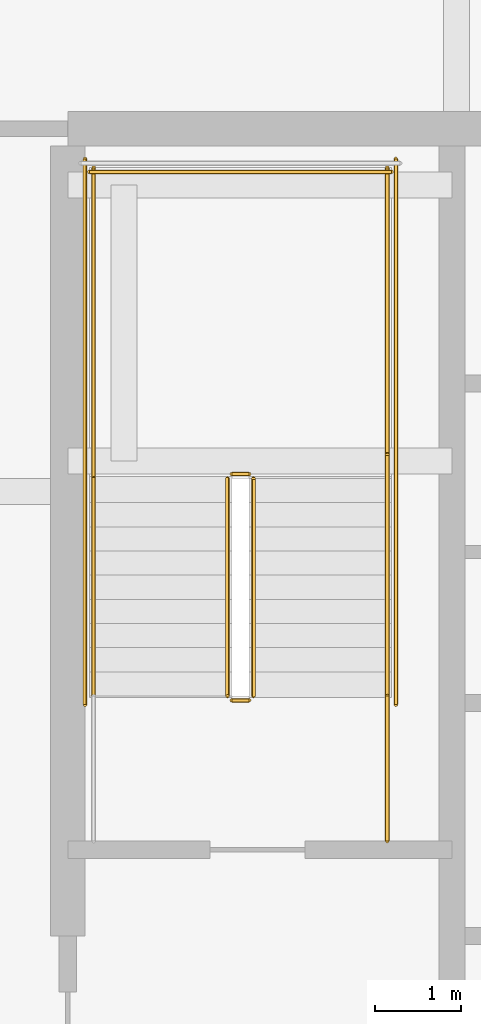
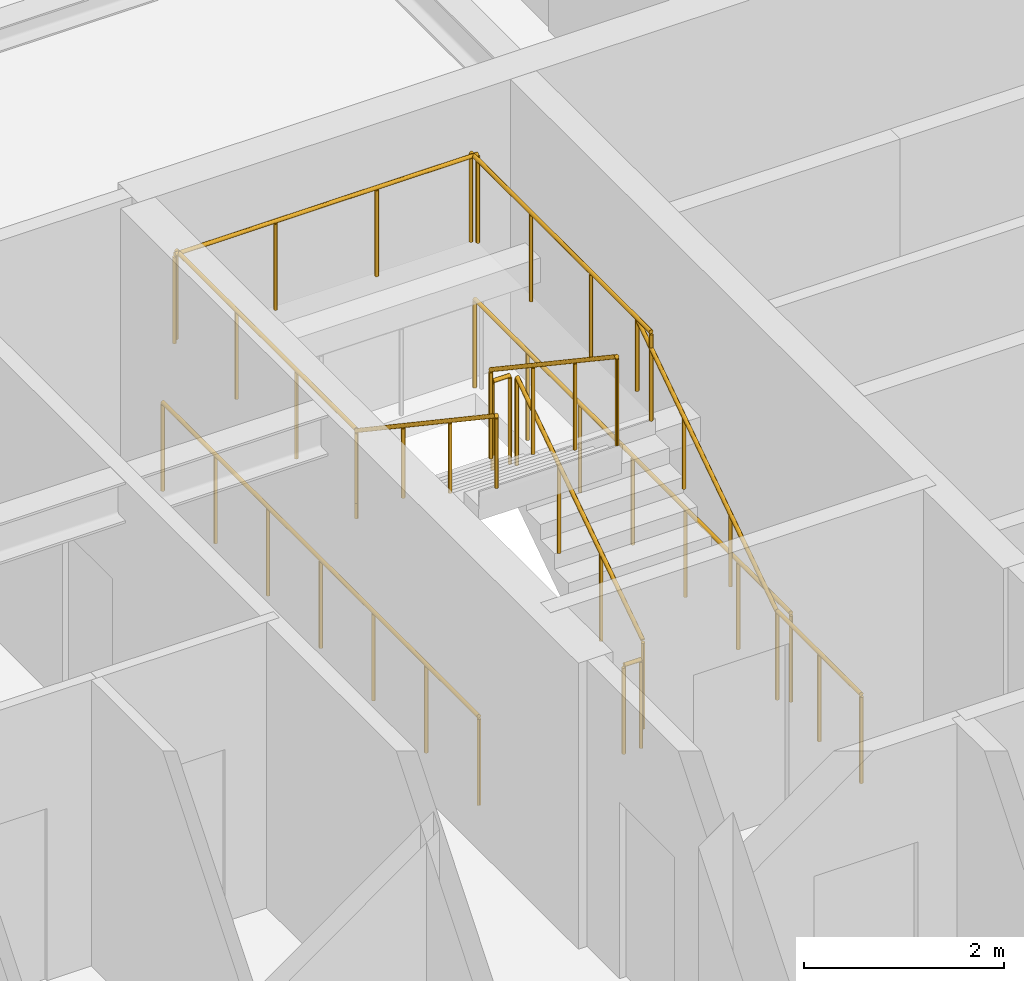
# One storey, part 31 of 34: 12 railings.
"""IFC4 building model written with IfcOpenShell, lengths in metres."""

import ifcopenshell
import ifcopenshell.guid

model = None  # the IFC model being written
_history = None  # IfcOwnerHistory: only IFC2X3 demands one
_inside = {}  # id of a spatial element -> (the spatial element, [elements in it])
_under = {}  # id of a project, library or spatial element -> (it, [spatial elements below it])
_declared = {}  # id of a project -> (the project, [libraries it declares])
_typed = {}  # id of a type object -> (the type object, [elements of that type])
_made_of = {}  # id of a material, layer set ... -> (it, [elements and type objects made of it])


def new_model(schema):
    """Start an empty IFC model of exactly this schema.

    Asked for "IFC4X3", IfcOpenShell would pick the latest addendum, in which some entities
    have other attributes; the version numbers below select the first issue.
    IFC2X3 requires an IfcOwnerHistory on every rooted entity: one is made here for all.
    """
    global model, _history
    if schema == "IFC4X3":
        model = ifcopenshell.file(schema_version=(4, 3, 0, 0))
    else:
        model = ifcopenshell.file(schema=schema)
    _inside.clear()
    _under.clear()
    _declared.clear()
    _typed.clear()
    _made_of.clear()
    _history = None
    if model.schema == "IFC2X3":
        org = make("IfcOrganization", Name="unknown")
        user = make(
            "IfcPersonAndOrganization",
            ThePerson=make("IfcPerson", FamilyName="unknown"),
            TheOrganization=org,
        )
        app = make(
            "IfcApplication",
            ApplicationDeveloper=org,
            Version="unknown",
            ApplicationFullName="unknown",
            ApplicationIdentifier="unknown",
        )
        _history = make(
            "IfcOwnerHistory",
            OwningUser=user,
            OwningApplication=app,
            ChangeAction="ADDED",
            CreationDate=0,
        )
    return model


def make(cls, **values):
    """One entity of the class cls with the attributes given. An attribute that is None is left unset."""
    return model.create_entity(
        cls, **{name: value for name, value in values.items() if value is not None}
    )


def rooted(cls, **values):
    """An entity with a GlobalId (a new one), such as an element, a storey or a relation."""
    return make(cls, GlobalId=ifcopenshell.guid.new(), OwnerHistory=_history, **values)


def si_unit(unit_type, name, prefix=None):
    """IfcSIUnit, for example si_unit("LENGTHUNIT", "METRE", prefix="MILLI")."""
    return make("IfcSIUnit", UnitType=unit_type, Prefix=prefix, Name=name)


def assignment(units):
    """IfcUnitAssignment: the units of a project."""
    return None if units is None else make("IfcUnitAssignment", Units=units)


def point(xyz):
    """IfcCartesianPoint."""
    return None if xyz is None else make("IfcCartesianPoint", Coordinates=xyz)


def direction(xyz):
    """IfcDirection."""
    return None if xyz is None else make("IfcDirection", DirectionRatios=xyz)


def frame(location, z_axis=None, x_axis=None):
    """IfcAxis2Placement3D, a coordinate frame: its origin and axes. An axis left out is left unset."""
    return make(
        "IfcAxis2Placement3D",
        Location=point(location),
        Axis=direction(z_axis),
        RefDirection=direction(x_axis),
    )


def frame_2d(location, x_axis=None):
    """IfcAxis2Placement2D, a coordinate frame in the plane: its origin and x axis."""
    return make(
        "IfcAxis2Placement2D", Location=point(location), RefDirection=direction(x_axis)
    )


def origin():
    """The frame at (0, 0, 0) with its axes left unset."""
    return frame((0.0, 0.0, 0.0))


def origin_2d():
    """The frame at (0, 0) in the plane with its x axis left unset."""
    return frame_2d((0.0, 0.0))


def place(relative_to, where):
    """IfcLocalPlacement: puts the frame where relative to a parent placement (None: the world)."""
    return make(
        "IfcLocalPlacement", PlacementRelTo=relative_to, RelativePlacement=where
    )


def context(
    kind, dimensions, precision=None, world=None, true_north=None, identifier=None
):
    """IfcGeometricRepresentationContext, for example the 3D "Model" context."""
    return make(
        "IfcGeometricRepresentationContext",
        ContextIdentifier=identifier,
        ContextType=kind,
        CoordinateSpaceDimension=dimensions,
        Precision=precision,
        WorldCoordinateSystem=world,
        TrueNorth=true_north,
    )


def subcontext(parent, identifier, kind, view, scale=None):
    """IfcGeometricRepresentationSubContext, for example "Body" below "Model"."""
    return make(
        "IfcGeometricRepresentationSubContext",
        ContextIdentifier=identifier,
        ContextType=kind,
        ParentContext=parent,
        TargetScale=scale,
        TargetView=view,
    )


def project(units=None, contexts=None):
    """IfcProject with its units and contexts."""
    return rooted(
        "IfcProject",
        Name="project",
        RepresentationContexts=contexts,
        UnitsInContext=assignment(units),
    )


def spatial(cls, under=None, at=None, **own):
    """A site, building, storey or space (cls), placed at a placement, below another one or the project."""
    s = rooted(cls, ObjectPlacement=at, **own)
    if under is not None:
        _under.setdefault(under.id(), (under, []))[1].append(s)
    return s


def profile(cls, at=None, kind="AREA", **sizes):
    """A parametric profile (cls). Its sizes go by their IFC names, for example OverallWidth=200.0."""
    return make(cls, ProfileType=kind, Position=at, **sizes)


def circle(**sizes):
    """IfcCircleProfileDef."""
    return profile("IfcCircleProfileDef", **sizes)


def extrude(swept, where, along, depth):
    """IfcExtrudedAreaSolid: the profile swept, set in the frame where, extruded along a direction by depth."""
    return make(
        "IfcExtrudedAreaSolid",
        SweptArea=swept,
        Position=where,
        ExtrudedDirection=direction(along),
        Depth=depth,
    )


def shape(context_of_items, identifier, shape_type, items):
    """IfcShapeRepresentation: the items that make up one representation, for example the "Body"."""
    return make(
        "IfcShapeRepresentation",
        ContextOfItems=context_of_items,
        RepresentationIdentifier=identifier,
        RepresentationType=shape_type,
        Items=items,
    )


def material(Name=None, Category=None):
    """IfcMaterial."""
    return make("IfcMaterial", Name=Name, Category=Category)


def made_of(thing, what):
    """Note that an element or type object is made of a material, layer set ...; save() writes the relation."""
    if what is not None:
        _made_of.setdefault(what.id(), (what, []))[1].append(thing)
    return thing


def type_object(cls, material=None, **own):
    """A type object (cls), such as IfcWallType, which elements share."""
    return made_of(rooted(cls, **own), material)


def element(
    cls,
    number,
    at=None,
    inside=None,
    cuts=None,
    type_object=None,
    material=None,
    context=None,
    identifier="Body",
    shape_type=None,
    held_by="IfcProductDefinitionShape",
    body=None,
    shapes=None,
    **own,
):
    """One element of the class cls, such as IfcWall. Its Tag is "e" and its number.

    at: its placement. inside: the storey or other place that contains it. cuts: it is an
    opening in that element (IfcRelVoidsElement). A single representation is given by context,
    identifier, shape_type and body (its items); several are given by shapes. held_by: the class
    of the entity that holds the representations. save() writes the other relations.
    """
    e = rooted(cls, Tag="e%d" % number, ObjectPlacement=at, **own)
    if body is not None:
        shapes = [shape(context, identifier, shape_type, body)]
    if shapes is not None:
        e.Representation = make(held_by, Representations=shapes)
    if inside is not None:
        _inside.setdefault(inside.id(), (inside, []))[1].append(e)
    if cuts is not None:
        rooted(
            "IfcRelVoidsElement", RelatingBuildingElement=cuts, RelatedOpeningElement=e
        )
    if type_object is not None:
        _typed.setdefault(type_object.id(), (type_object, []))[1].append(e)
    return made_of(e, material)


def aggregate(whole, parts):
    """IfcRelAggregates: a whole, such as a stair, and the parts it consists of."""
    return rooted("IfcRelAggregates", RelatingObject=whole, RelatedObjects=parts)


def save(model, path):
    """Write the relations noted so far, then the file.

    IfcRelAggregates (storeys below a building ...), IfcRelContainedInSpatialStructure (elements
    in a storey), IfcRelDefinesByType, IfcRelAssociatesMaterial and IfcRelDeclares: one each for
    every whole, place, type object, material and project.
    """
    for whole, parts in _under.values():
        aggregate(whole, parts)
    for where, things in _inside.values():
        rooted(
            "IfcRelContainedInSpatialStructure",
            RelatedElements=things,
            RelatingStructure=where,
        )
    for kind, things in _typed.values():
        rooted("IfcRelDefinesByType", RelatedObjects=things, RelatingType=kind)
    for what, things in _made_of.values():
        rooted("IfcRelAssociatesMaterial", RelatedObjects=things, RelatingMaterial=what)
    for by, libraries in _declared.values():
        rooted("IfcRelDeclares", RelatingContext=by, RelatedDefinitions=libraries)
    model.write(path)


model = new_model("IFC4")

# Units and contexts
model_context = context("Model", 3, precision=1e-05, world=origin(), true_north=direction((0.0, 1.0)))
body_context = subcontext(model_context, "Body", "Model", "MODEL_VIEW")
ifc_project = project(units=[si_unit("LENGTHUNIT", "METRE"), si_unit("AREAUNIT", "SQUARE_METRE"), si_unit("VOLUMEUNIT", "CUBIC_METRE"), si_unit("PLANEANGLEUNIT", "RADIAN"), si_unit("MASSUNIT", "GRAM", prefix="KILO")], contexts=[model_context])

# Site, building, storey
site_placement = place(None, origin())
site = spatial("IfcSite", under=ifc_project, at=site_placement, CompositionType="ELEMENT")
building_placement = place(site_placement, origin())
building = spatial("IfcBuilding", under=site, at=building_placement, Name="Serunith Strait Residences", CompositionType="ELEMENT")
storey_placement = place(building_placement, frame((0.0, 0.0, 135.14990234375)))
storey = spatial("IfcBuildingStorey", under=building, at=storey_placement, Name="L33", CompositionType="ELEMENT", Elevation=135.14990234375)

# Railings
ifc_material = material(Name="Brushed stainless steel 316L", Category="steel")
railing_type_1 = type_object("IfcRailingType", Name="RLG-STAIR-GUARD", PredefinedType="BALUSTRADE", material=ifc_material)
railing_1_placement = place(storey_placement, frame((25.550048828125, 27.030029296875, 0.1875)))
element("IfcRailing", 1, at=railing_1_placement, inside=storey, type_object=railing_type_1, Name="L33 ST-1 stair guard 1", PredefinedType="BALUSTRADE", context=body_context, shape_type="SweptSolid", body=[
    extrude(circle(Radius=0.02392578125, at=origin_2d()), frame((0.0, 0.001708984375, 1.0771484375), z_axis=(0.0, 0.830909170722, 0.55640807867), x_axis=(-1.0, 0.0, 0.0)), (0.0, 0.0, 1.0), 3.02880859375),
    extrude(circle(Radius=0.02099609375, at=origin_2d()), origin(), (0.0, 0.0, 1.0), 1.050048828125),
    extrude(circle(Radius=0.02099609375, at=origin_2d()), frame((0.0, 0.840087890625, 0.5625)), (0.0, 0.0, 1.0), 1.050048828125),
    extrude(circle(Radius=0.02099609375, at=origin_2d()), frame((0.0, 1.679931640625, 1.125)), (0.0, 0.0, 1.0), 1.050048828125),
    extrude(circle(Radius=0.02099609375, at=origin_2d()), frame((0.0, 2.52001953125, 1.6875)), (0.0, 0.0, 1.0), 1.050048828125),
])
railing_2_placement = place(storey_placement, frame((25.5, 29.60009765625, 1.875)))
element("IfcRailing", 2, at=railing_2_placement, inside=storey, type_object=railing_type_1, Name="L33 ST-1 stair guard 2", PredefinedType="BALUSTRADE", context=body_context, shape_type="SweptSolid", body=[
    extrude(circle(Radius=0.02392578125, at=origin_2d()), frame((-0.001953125, 0.0, 1.076171875), z_axis=(-1.0, 0.0, 0.0), x_axis=(0.0, -1.0, 0.0)), (0.0, 0.0, 1.0), 0.196044921875),
    extrude(circle(Radius=0.02099609375, at=origin_2d()), origin(), (0.0, 0.0, 1.0), 1.050048828125),
    extrude(circle(Radius=0.02099609375, at=origin_2d()), frame((-0.199951171875, 0.0, 0.0)), (0.0, 0.0, 1.0), 1.050048828125),
])
for number, where, name in (
    (3, (27.10009765625, 29.550048828125, 1.875), "L33 ST-1 stair guard 3"),
    (4, (23.699951171875, 29.550048828125, 1.875), "L33 ST-1 stair guard 4"),
):
    element("IfcRailing", number, at=place(storey_placement, frame(where)), inside=storey, type_object=railing_type_1, Name=name, PredefinedType="BALUSTRADE", context=body_context, shape_type="SweptSolid", body=[
        extrude(circle(Radius=0.02392578125, at=origin_2d()), frame((0.0, 0.001953125, 1.076171875), z_axis=(0.0, 1.0, 0.0), x_axis=(-1.0, 0.0, 0.0)), (0.0, 0.0, 1.0), 3.595947265625),
        extrude(circle(Radius=0.02099609375, at=origin_2d()), origin(), (0.0, 0.0, 1.0), 1.050048828125),
        extrude(circle(Radius=0.02099609375, at=origin_2d()), frame((0.0, 1.199951171875, 0.0)), (0.0, 0.0, 1.0), 1.050048828125),
        extrude(circle(Radius=0.02099609375, at=origin_2d()), frame((0.0, 2.39990234375, 0.0)), (0.0, 0.0, 1.0), 1.050048828125),
        extrude(circle(Radius=0.02099609375, at=origin_2d()), frame((0.0, 3.599853515625, 0.0)), (0.0, 0.0, 1.0), 1.050048828125),
    ])
railing_3_placement = place(storey_placement, frame((27.14990234375, 33.10009765625, 1.875)))
element("IfcRailing", 5, at=railing_3_placement, inside=storey, type_object=railing_type_1, Name="L33 ST-1 stair guard 5", PredefinedType="BALUSTRADE", context=body_context, shape_type="SweptSolid", body=[
    extrude(circle(Radius=0.02392578125, at=origin_2d()), frame((-0.001953125, 0.0, 1.076171875), z_axis=(-1.0, 0.0, 0.0), x_axis=(0.0, -1.0, 0.0)), (0.0, 0.0, 1.0), 3.49609375),
    extrude(circle(Radius=0.02099609375, at=origin_2d()), origin(), (0.0, 0.0, 1.0), 1.050048828125),
    extrude(circle(Radius=0.02099609375, at=origin_2d()), frame((-1.166748046875, 0.0, 0.0)), (0.0, 0.0, 1.0), 1.050048828125),
    extrude(circle(Radius=0.02099609375, at=origin_2d()), frame((-2.333251953125, 0.0, 0.0)), (0.0, 0.0, 1.0), 1.050048828125),
    extrude(circle(Radius=0.02099609375, at=origin_2d()), frame((-3.5, 0.0, 0.0)), (0.0, 0.0, 1.0), 1.050048828125),
])
railing_4_placement = place(storey_placement, frame((25.25, 29.550048828125, 2.0625)))
element("IfcRailing", 6, at=railing_4_placement, inside=storey, type_object=railing_type_1, Name="L33 ST-1 stair guard 6", PredefinedType="BALUSTRADE", context=body_context, shape_type="SweptSolid", body=[
    extrude(circle(Radius=0.02392578125, at=origin_2d()), frame((0.0, -0.001708984375, 1.0771484375), z_axis=(0.0, -0.830909170722, 0.55640807867), x_axis=(1.0, 0.0, 0.0)), (0.0, 0.0, 1.0), 3.02880859375),
    extrude(circle(Radius=0.02099609375, at=origin_2d()), origin(), (0.0, 0.0, 1.0), 1.050048828125),
    extrude(circle(Radius=0.02099609375, at=origin_2d()), frame((0.0, -0.840087890625, 0.5625)), (0.0, 0.0, 1.0), 1.050048828125),
    extrude(circle(Radius=0.02099609375, at=origin_2d()), frame((0.0, -1.679931640625, 1.125)), (0.0, 0.0, 1.0), 1.050048828125),
    extrude(circle(Radius=0.02099609375, at=origin_2d()), frame((0.0, -2.52001953125, 1.6875)), (0.0, 0.0, 1.0), 1.050048828125),
])
railing_5_placement = place(storey_placement, frame((25.5, 26.97998046875, 0.0)))
element("IfcRailing", 7, at=railing_5_placement, inside=storey, type_object=railing_type_1, Name="L33 ST-1 stair guard 7", PredefinedType="BALUSTRADE", context=body_context, shape_type="SweptSolid", body=[
    extrude(circle(Radius=0.02392578125, at=origin_2d()), frame((-0.001953125, 0.0, 1.076171875), z_axis=(-1.0, 0.0, 0.0), x_axis=(0.0, -1.0, 0.0)), (0.0, 0.0, 1.0), 0.196044921875),
    extrude(circle(Radius=0.02099609375, at=origin_2d()), origin(), (0.0, 0.0, 1.0), 1.050048828125),
    extrude(circle(Radius=0.02099609375, at=origin_2d()), frame((-0.199951171875, 0.0, 0.0)), (0.0, 0.0, 1.0), 1.050048828125),
])
railing_6_placement = place(storey_placement, frame((27.10009765625, 25.35009765625, 0.0)))
element("IfcRailing", 8, at=railing_6_placement, inside=storey, type_object=railing_type_1, Name="L33 ST-1 stair guard 8", PredefinedType="BALUSTRADE", context=body_context, shape_type="SweptSolid", body=[
    extrude(circle(Radius=0.02392578125, at=origin_2d()), frame((0.0, 0.001953125, 1.076171875), z_axis=(0.0, 1.0, 0.0), x_axis=(-1.0, 0.0, 0.0)), (0.0, 0.0, 1.0), 1.676025390625),
    extrude(circle(Radius=0.02099609375, at=origin_2d()), origin(), (0.0, 0.0, 1.0), 1.050048828125),
    extrude(circle(Radius=0.02099609375, at=origin_2d()), frame((0.0, 0.83984375, 0.0)), (0.0, 0.0, 1.0), 1.050048828125),
    extrude(circle(Radius=0.02099609375, at=origin_2d()), frame((0.0, 1.679931640625, 0.0)), (0.0, 0.0, 1.0), 1.050048828125),
])
for number, where, name in (
    (9, (27.199951171875, 26.929931640625, 0.0), "L33 ST-1 stair guard 10"),
    (10, (23.60009765625, 26.929931640625, 0.0), "L33 ST-1 stair guard 11"),
):
    element("IfcRailing", number, at=place(storey_placement, frame(where)), inside=storey, type_object=railing_type_1, Name=name, PredefinedType="BALUSTRADE", context=body_context, shape_type="SweptSolid", body=[
        extrude(circle(Radius=0.02392578125, at=origin_2d()), frame((0.0, 0.001953125, 1.076171875), z_axis=(0.0, 1.0, 0.0), x_axis=(-1.0, 0.0, 0.0)), (0.0, 0.0, 1.0), 6.316162109375),
        extrude(circle(Radius=0.02099609375, at=origin_2d()), origin(), (0.0, 0.0, 1.0), 1.050048828125),
        extrude(circle(Radius=0.02099609375, at=origin_2d()), frame((0.0, 1.05322265625, 0.0)), (0.0, 0.0, 1.0), 1.050048828125),
        extrude(circle(Radius=0.02099609375, at=origin_2d()), frame((0.0, 2.106689453125, 0.0)), (0.0, 0.0, 1.0), 1.050048828125),
        extrude(circle(Radius=0.02099609375, at=origin_2d()), frame((0.0, 3.16015625, 0.0)), (0.0, 0.0, 1.0), 1.050048828125),
        extrude(circle(Radius=0.02099609375, at=origin_2d()), frame((0.0, 4.21337890625, 0.0)), (0.0, 0.0, 1.0), 1.050048828125),
        extrude(circle(Radius=0.02099609375, at=origin_2d()), frame((0.0, 5.2666015625, 0.0)), (0.0, 0.0, 1.0), 1.050048828125),
        extrude(circle(Radius=0.02099609375, at=origin_2d()), frame((0.0, 6.320068359375, 0.0)), (0.0, 0.0, 1.0), 1.050048828125),
    ])
railing_type_2 = type_object("IfcRailingType", Name="RLG-STAIR-HR", PredefinedType="HANDRAIL", material=ifc_material)
railing_7_placement = place(storey_placement, frame((27.10009765625, 27.030029296875, 0.1875)))
element("IfcRailing", 11, at=railing_7_placement, inside=storey, type_object=railing_type_2, Name="L33 ST-1 stair handrail 1", PredefinedType="HANDRAIL", context=body_context, shape_type="SweptSolid", body=[
    extrude(circle(Radius=0.02392578125, at=origin_2d()), frame((0.0, 0.001708984375, 0.876953125), z_axis=(0.0, 0.830208209119, 0.557453432594), x_axis=(-1.0, 0.0, 0.0)), (0.0, 0.0, 1.0), 3.36865234375),
    extrude(circle(Radius=0.02099609375, at=origin_2d()), origin(), (0.0, 0.0, 1.0), 0.849853515625),
    extrude(circle(Radius=0.02099609375, at=origin_2d()), frame((0.0, 0.933349609375, 0.626708984375)), (0.0, 0.0, 1.0), 0.849853515625),
    extrude(circle(Radius=0.02099609375, at=origin_2d()), frame((0.0, 1.86669921875, 1.25341796875)), (0.0, 0.0, 1.0), 0.849853515625),
    extrude(circle(Radius=0.02099609375, at=origin_2d()), frame((0.0, 2.800048828125, 1.880126953125)), (0.0, 0.0, 1.0), 0.849853515625),
])
railing_8_placement = place(storey_placement, frame((23.699951171875, 29.550048828125, 2.0625)))
element("IfcRailing", 12, at=railing_8_placement, inside=storey, type_object=railing_type_2, Name="L33 ST-1 stair handrail 2", PredefinedType="HANDRAIL", context=body_context, shape_type="SweptSolid", body=[
    extrude(circle(Radius=0.02392578125, at=origin_2d()), frame((0.0, -0.001708984375, 0.876953125), z_axis=(0.0, -0.830208209119, 0.557453432594), x_axis=(1.0, 0.0, 0.0)), (0.0, 0.0, 1.0), 3.36865234375),
    extrude(circle(Radius=0.02099609375, at=origin_2d()), origin(), (0.0, 0.0, 1.0), 0.849853515625),
    extrude(circle(Radius=0.02099609375, at=origin_2d()), frame((0.0, -0.933349609375, 0.626708984375)), (0.0, 0.0, 1.0), 0.849853515625),
    extrude(circle(Radius=0.02099609375, at=origin_2d()), frame((0.0, -1.86669921875, 1.25341796875)), (0.0, 0.0, 1.0), 0.849853515625),
    extrude(circle(Radius=0.02099609375, at=origin_2d()), frame((0.0, -2.800048828125, 1.880126953125)), (0.0, 0.0, 1.0), 0.849853515625),
])

save(model, "model.ifc")
